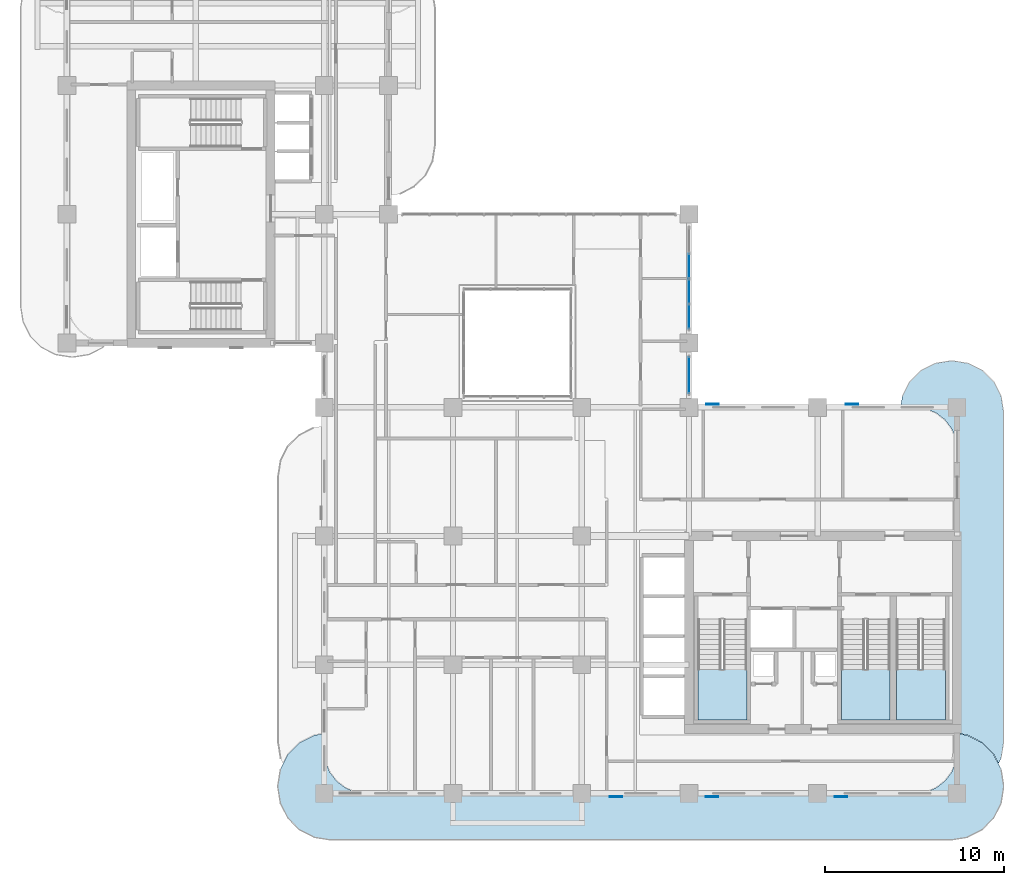
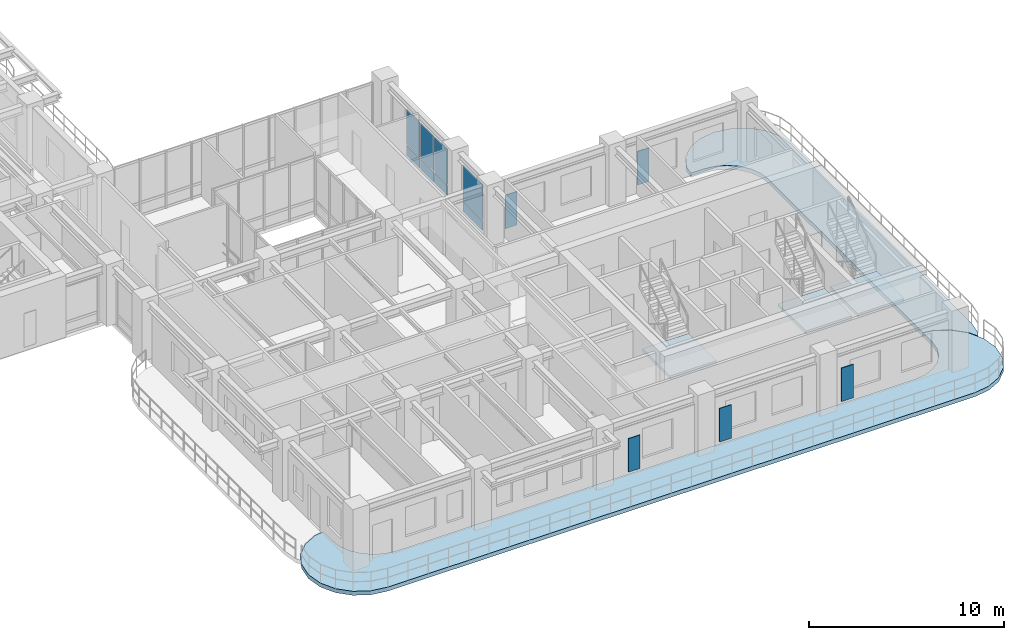
# One storey, part 9 of 20: 13 plates, 5 slabs, 5 elements without a shape of their own.
"""IFC4 building model written with IfcOpenShell, lengths in metres."""

from ifc_helpers import new_model, si_unit, derived_unit, direction, frame, origin, origin_2d, place, context, subcontext, project, spatial, polyline, rectangle, outline, extrude, source, transform, mapped, material, layer, layer_set, type_object, type_shapes, element, aggregate, save


model = new_model("IFC4")

# Units and contexts
model_context = context("Model", 3, precision=1e-05, world=origin(), true_north=direction((0.0, 1.0)))
body_context = subcontext(model_context, "Body", "Model", "MODEL_VIEW")
ifc_project = project(units=[si_unit("LENGTHUNIT", "METRE"), si_unit("AREAUNIT", "SQUARE_METRE"), si_unit("VOLUMEUNIT", "CUBIC_METRE"), si_unit("PLANEANGLEUNIT", "RADIAN"), si_unit("MASSUNIT", "GRAM", prefix="KILO"), si_unit("THERMODYNAMICTEMPERATUREUNIT", "KELVIN"), si_unit("POWERUNIT", "WATT"), derived_unit("THERMALTRANSMITTANCEUNIT", [(si_unit("POWERUNIT", "WATT"), 1), (si_unit("AREAUNIT", "SQUARE_METRE"), -1), (si_unit("THERMODYNAMICTEMPERATUREUNIT", "KELVIN"), -1)])], contexts=[model_context])

# Site, building, storey
site_placement = place(None, origin())
site = spatial("IfcSite", under=ifc_project, at=site_placement, CompositionType="ELEMENT")
building_placement = place(site_placement, origin())
building = spatial("IfcBuilding", under=site, at=building_placement, Name="Zahravan Archway Hotel and Residences", CompositionType="ELEMENT")
storey_placement = place(building_placement, frame((0.0, 0.0, 177.25)))
storey = spatial("IfcBuildingStorey", under=building, at=storey_placement, Name="L44", CompositionType="ELEMENT", Elevation=177.25)

# Slabs
ifc_material_1 = material(Name="Concrete C45/55", Category="concrete")
ifc_layer_1 = layer(ifc_material_1, 0.25, Name="Concrete C45/55", Category="concrete")
ifc_layer_set_1 = layer_set([ifc_layer_1], Name="Concrete C45/55")
slab_type_1 = type_object("IfcSlabType", Name="SLB-BALC-250", PredefinedType="FLOOR", material=ifc_layer_set_1)
slab_1_placement = place(storey_placement, frame((0.0, 0.0, -0.25)))
element("IfcSlab", 1, at=slab_1_placement, inside=storey, type_object=slab_type_1, Name="L44 Wing A South Rounded Balcony Band", PredefinedType="FLOOR", context=body_context, shape_type="SweptSolid", body=[
    extrude(outline(polyline([(50.361572265625, 3.255615234375), (51.18408203125, 2.836669921875), (51.836669921875, 2.18408203125), (52.255615234375, 1.361572265625), (52.39990234375, 0.449951171875), (52.39990234375, 0.35009765625), (52.255615234375, -0.5615234375), (51.836669921875, -1.384033203125), (51.18408203125, -2.03662109375), (50.361572265625, -2.45556640625), (49.449951171875, -2.60009765625), (14.75, -2.60009765625), (13.83837890625, -2.45556640625), (13.01611328125, -2.03662109375), (12.36328125, -1.384033203125), (11.9443359375, -0.5615234375), (11.800048828125, 0.35009765625), (11.800048828125, 0.449951171875), (11.9443359375, 1.361572265625), (12.36328125, 2.18408203125), (13.01611328125, 2.836669921875), (13.83837890625, 3.255615234375), (14.3798828125, 3.34130859375), (14.3798828125, 2.39990234375), (14.380126953125, 2.3974609375), (14.4619140625, 1.776123046875), (14.46240234375, 1.7744140625), (14.462646484375, 1.772705078125), (14.46337890625, 1.77099609375), (14.702880859375, 1.1923828125), (14.703857421875, 1.19091796875), (14.70458984375, 1.189208984375), (14.70556640625, 1.187744140625), (15.0869140625, 0.690673828125), (15.088134765625, 0.689453125), (15.08935546875, 0.688232421875), (15.0908203125, 0.68701171875), (15.587890625, 0.3056640625), (15.58935546875, 0.3046875), (15.5908203125, 0.3037109375), (15.59228515625, 0.302978515625), (16.171142578125, 0.063232421875), (16.1728515625, 0.062744140625), (16.174560546875, 0.062255859375), (16.17626953125, 0.06201171875), (16.79736328125, -0.019775390625), (16.800048828125, -0.02001953125), (47.39990234375, -0.02001953125), (47.402587890625, -0.019775390625), (48.023681640625, 0.06201171875), (48.025390625, 0.062255859375), (48.027099609375, 0.062744140625), (48.02880859375, 0.063232421875), (48.607666015625, 0.302978515625), (48.609130859375, 0.3037109375), (48.610595703125, 0.3046875), (48.6123046875, 0.3056640625), (49.109375, 0.68701171875), (49.110595703125, 0.688232421875), (49.11181640625, 0.689453125), (49.113037109375, 0.690673828125), (49.494384765625, 1.187744140625), (49.495361328125, 1.189208984375), (49.49609375, 1.19091796875), (49.4970703125, 1.1923828125), (49.73681640625, 1.77099609375), (49.7373046875, 1.772705078125), (49.73779296875, 1.7744140625), (49.738037109375, 1.776123046875), (49.81982421875, 2.3974609375), (49.820068359375, 2.39990234375), (49.820068359375, 3.34130859375), (50.361572265625, 3.255615234375)])), origin(), (0.0, 0.0, 1.0), 0.25),
])
slab_2_placement = place(storey_placement, frame((0.0, 0.0, -0.25)))
element("IfcSlab", 2, at=slab_2_placement, inside=storey, type_object=slab_type_1, Name="L44 Wing A East Rounded Balcony Band", PredefinedType="FLOOR", context=body_context, shape_type="SweptSolid", body=[
    extrude(outline(polyline([(46.739501953125, 22.230712890625), (47.144287109375, 23.025146484375), (47.77490234375, 23.65576171875), (48.5693359375, 24.060546875), (49.449951171875, 24.199951171875), (49.550048828125, 24.199951171875), (50.4306640625, 24.060546875), (51.22509765625, 23.65576171875), (51.855712890625, 23.025146484375), (52.260498046875, 22.230712890625), (52.39990234375, 21.35009765625), (52.39990234375, 2.85009765625), (52.260498046875, 1.96923828125), (52.114501953125, 1.6826171875), (51.8544921875, 2.193115234375), (51.853515625, 2.19482421875), (51.85205078125, 2.196533203125), (51.8505859375, 2.197998046875), (51.197998046875, 2.8505859375), (51.196533203125, 2.85205078125), (51.19482421875, 2.853515625), (51.193115234375, 2.8544921875), (50.37060546875, 3.2734375), (50.368896484375, 3.2744140625), (50.36669921875, 3.27490234375), (50.36474609375, 3.275390625), (49.822998046875, 3.361083984375), (49.8212890625, 3.361328125), (49.820068359375, 3.361328125), (49.820068359375, 19.199951171875), (49.81982421875, 19.20263671875), (49.738037109375, 19.82373046875), (49.73779296875, 19.825439453125), (49.7373046875, 19.8271484375), (49.73681640625, 19.828857421875), (49.4970703125, 20.40771484375), (49.49609375, 20.4091796875), (49.495361328125, 20.41064453125), (49.494384765625, 20.412109375), (49.113037109375, 20.9091796875), (49.11181640625, 20.91064453125), (49.110595703125, 20.911865234375), (49.109375, 20.9130859375), (48.6123046875, 21.29443359375), (48.610595703125, 21.29541015625), (48.609130859375, 21.296142578125), (48.607666015625, 21.297119140625), (48.02880859375, 21.53662109375), (48.027099609375, 21.537353515625), (48.025390625, 21.53759765625), (48.023681640625, 21.5380859375), (47.402587890625, 21.619873046875), (47.39990234375, 21.6201171875), (46.642822265625, 21.6201171875), (46.739501953125, 22.230712890625)])), origin(), (0.0, 0.0, 1.0), 0.25),
])

# Stair, slab
ifc_material_2 = material(Name="Concrete C50/60", Category="concrete")
stair_type = type_object("IfcStairType", Name="STR-CORE-1300", PredefinedType="HALF_TURN_STAIR", material=ifc_material_2)
stair_1_placement = place(storey_placement, origin())
stair_1 = element("IfcStair", 3, at=stair_1_placement, inside=storey, type_object=stair_type, Name="L44 Core A Exit Stair 1", PredefinedType="HALF_TURN_STAIR")
ifc_layer_2 = layer(ifc_material_2, 0.199951171875, Name="Concrete C50/60", Category="concrete")
ifc_layer_set_2 = layer_set([ifc_layer_2], Name="Concrete C50/60")
slab_type_2 = type_object("IfcSlabType", Name="SLB-LND-200", PredefinedType="LANDING", material=ifc_layer_set_2)
slab_3_placement = place(storey_placement, frame((0.0, 0.0, 1.72509765625)))
slab_3 = element("IfcSlab", 4, at=slab_3_placement, type_object=slab_type_2, Name="ST-A1 landing 1", PredefinedType="LANDING", context=body_context, shape_type="SweptSolid", body=[
    extrude(outline(polyline([(35.300048828125, 6.929931640625), (35.300048828125, 4.10009765625), (38.0400390625, 4.10009765625), (38.0400390625, 6.929931640625), (35.300048828125, 6.929931640625)])), origin(), (0.0, 0.0, 1.0), 0.199951171875),
])
aggregate(stair_1, [slab_3])

stair_2_placement = place(storey_placement, origin())
stair_2 = element("IfcStair", 5, at=stair_2_placement, inside=storey, type_object=stair_type, Name="L44 Core A Exit Stair 2", PredefinedType="HALF_TURN_STAIR")
slab_4_placement = place(storey_placement, frame((0.0, 0.0, 1.72509765625)))
slab_4 = element("IfcSlab", 6, at=slab_4_placement, type_object=slab_type_2, Name="ST-A2 landing 1", PredefinedType="LANDING", context=body_context, shape_type="SweptSolid", body=[
    extrude(outline(polyline([(43.320068359375, 6.929931640625), (43.320068359375, 4.10009765625), (46.06005859375, 4.10009765625), (46.06005859375, 6.929931640625), (43.320068359375, 6.929931640625)])), origin(), (0.0, 0.0, 1.0), 0.199951171875),
])
aggregate(stair_2, [slab_4])

stair_3_placement = place(storey_placement, origin())
stair_3 = element("IfcStair", 7, at=stair_3_placement, inside=storey, type_object=stair_type, Name="L44 Core A Exit Stair 3", PredefinedType="HALF_TURN_STAIR")
slab_5_placement = place(storey_placement, frame((0.0, 0.0, 1.72509765625)))
slab_5 = element("IfcSlab", 8, at=slab_5_placement, type_object=slab_type_2, Name="ST-A3 landing 1", PredefinedType="LANDING", context=body_context, shape_type="SweptSolid", body=[
    extrude(outline(polyline([(46.39990234375, 6.929931640625), (46.39990234375, 4.10009765625), (49.139892578125, 4.10009765625), (49.139892578125, 6.929931640625), (46.39990234375, 6.929931640625)])), origin(), (0.0, 0.0, 1.0), 0.199951171875),
])
aggregate(stair_3, [slab_5])

# Plates
ifc_material_3 = material(Name="Perforated Cast Bronze Jali Lattice")
ifc_layer_3 = layer(ifc_material_3, 0.044921875, Name="Perforated Cast Bronze Jali Lattice")
ifc_layer_set_3 = layer_set([ifc_layer_3], Name="Perforated Cast Bronze Jali Lattice")
plate_type_1 = type_object("IfcPlateType", Name="PLT-JALI-BAY", PredefinedType="USERDEFINED", material=ifc_layer_set_3)
shared_shape_1 = source(origin(), body_context, "Body", "SweptSolid", [
    extrude(rectangle(XDim=0.699951171875, YDim=0.044921875, at=origin_2d()), origin(), (0.0, 0.0, 1.0), 2.10009765625),
])
type_shapes(plate_type_1, [shared_shape_1])
for number, where, z_axis, x_axis, name in (
    (9, (30.7080078125, -0.177978515625, 0.25), (0.0, 0.0, 1.0), (1.0, 0.0, 0.0), "L44 Perforated Bronze Jali Pier Screen 01"),
    (10, (36.10009765625, -0.177978515625, 0.25), (0.0, 0.0, 1.0), (1.0, 0.0, 0.0), "L44 Perforated Bronze Jali Pier Screen 02"),
    (11, (43.300048828125, -0.177978515625, 0.25), (0.0, 0.0, 1.0), (1.0, 0.0, 0.0), "L44 Perforated Bronze Jali Pier Screen 03"),
    (12, (36.10791015625, 21.778076171875, 0.25), (0.0, 0.0, 1.0), (1.0, 0.0, 0.0), "L44 Perforated Bronze Jali Pier Screen 04"),
    (13, (43.907958984375, 21.778076171875, 0.25), (0.0, 0.0, 1.0), (1.0, 0.0, 0.0), "L44 Perforated Bronze Jali Pier Screen 05"),
):
    element("IfcPlate", number, at=place(storey_placement, frame(where, z_axis=z_axis, x_axis=x_axis)), inside=storey, type_object=plate_type_1, Name=name, ObjectType="SCREEN", PredefinedType="USERDEFINED", context=body_context, shape_type="MappedRepresentation", body=[
        mapped(shared_shape_1, transform((0.0, 0.0, 0.0), scale=1.0)),
    ])

# Curtain wall, plates
ifc_material_4 = material(Name="Bronze-Anodized Unitised Aluminium & Low-E Glass", Category="aluminium")
ifc_layer_4 = layer(ifc_material_4, 0.179931640625, Name="Bronze-Anodized Unitised Aluminium & Low-E Glass", Category="aluminium")
ifc_layer_set_4 = layer_set([ifc_layer_4], Name="Bronze-Anodized Unitised Aluminium & Low-E Glass")
curtain_wall_type = type_object("IfcCurtainWallType", Name="CW-ATR-GLAZ", PredefinedType="NOTDEFINED", material=ifc_layer_set_4)
curtain_wall_1_placement = place(storey_placement, origin())
curtain_wall_1 = element("IfcCurtainWall", 14, at=curtain_wall_1_placement, inside=storey, type_object=curtain_wall_type, Name="L44 Curtain Wall CW-L44-HNG-E-1", PredefinedType="NOTDEFINED")
ifc_material_5 = material(Name="Insulated Terracotta Spandrel Panel", Category="masonry")
ifc_layer_5 = layer(ifc_material_5, 0.0400390625, Name="Insulated Terracotta Spandrel Panel", Category="masonry")
ifc_layer_set_5 = layer_set([ifc_layer_5], Name="Insulated Terracotta Spandrel Panel")
plate_type_2 = type_object("IfcPlateType", Name="CWP-SPN-40", PredefinedType="SHEET", material=ifc_layer_set_5)
shared_shape_2 = source(origin(), body_context, "Body", "SweptSolid", [
    extrude(rectangle(XDim=2.0, YDim=0.0400390625, at=origin_2d()), origin(), (0.0, 0.0, 1.0), 0.600341796875),
])
plate_1_placement = place(storey_placement, frame((34.800048828125, 23.39990234375, 0.10009765625), z_axis=(0.0, 0.0, 1.0), x_axis=(0.0, 1.0, 0.0)))
plate_1 = element("IfcPlate", 15, at=plate_1_placement, type_object=plate_type_2, Name="CW-L44-HNG-E-1 Spandrel Panel 0", PredefinedType="SHEET", context=body_context, shape_type="MappedRepresentation", body=[
    mapped(shared_shape_2, transform((0.0, 0.0, 0.0), scale=1.0)),
])
ifc_material_6 = material(Name="Double-Silver Low-E Insulated Vision Glass", Category="glass")
ifc_layer_6 = layer(ifc_material_6, 0.028076171875, Name="Double-Silver Low-E Insulated Vision Glass", Category="glass")
ifc_layer_set_6 = layer_set([ifc_layer_6], Name="Double-Silver Low-E Insulated Vision Glass")
plate_type_3 = type_object("IfcPlateType", Name="CWP-GLZ-28", PredefinedType="CURTAIN_PANEL", material=ifc_layer_set_6)
shared_shape_3 = source(origin(), body_context, "Body", "SweptSolid", [
    extrude(rectangle(XDim=2.0, YDim=0.028076171875, at=origin_2d()), origin(), (0.0, 0.0, 1.0), 2.20458984375),
])
plate_2_placement = place(storey_placement, frame((34.800048828125, 23.39990234375, 0.780517578125), z_axis=(0.0, 0.0, 1.0), x_axis=(0.0, 1.0, 0.0)))
plate_2 = element("IfcPlate", 16, at=plate_2_placement, type_object=plate_type_3, Name="CW-L44-HNG-E-1 Low-E Vision Panel 0", PredefinedType="CURTAIN_PANEL", context=body_context, shape_type="MappedRepresentation", body=[
    mapped(shared_shape_3, transform((0.0, 0.0, 0.0), scale=1.0)),
])
aggregate(curtain_wall_1, [plate_1, plate_2])

curtain_wall_2_placement = place(storey_placement, origin())
curtain_wall_2 = element("IfcCurtainWall", 17, at=curtain_wall_2_placement, inside=storey, type_object=curtain_wall_type, Name="L44 Curtain Wall CW-L44-HNG-E-2", PredefinedType="NOTDEFINED")
shared_shape_4 = source(origin(), body_context, "Body", "SweptSolid", [
    extrude(rectangle(XDim=1.340087890625, YDim=0.0400390625, at=origin_2d()), origin(), (0.0, 0.0, 1.0), 0.600341796875),
])
plate_3_placement = place(storey_placement, frame((34.800048828125, 26.669921875, 0.10009765625), z_axis=(0.0, 0.0, 1.0), x_axis=(0.0, 1.0, 0.0)))
plate_3 = element("IfcPlate", 18, at=plate_3_placement, type_object=plate_type_2, Name="CW-L44-HNG-E-2 Spandrel Panel 0", PredefinedType="SHEET", context=body_context, shape_type="MappedRepresentation", body=[
    mapped(shared_shape_4, transform((0.0, 0.0, 0.0), scale=1.0)),
])
plate_4_placement = place(storey_placement, frame((34.800048828125, 28.090087890625, 0.10009765625), z_axis=(0.0, 0.0, 1.0), x_axis=(0.0, 1.0, 0.0)))
plate_4 = element("IfcPlate", 19, at=plate_4_placement, type_object=plate_type_2, Name="CW-L44-HNG-E-2 Spandrel Panel 1", PredefinedType="SHEET", context=body_context, shape_type="MappedRepresentation", body=[
    mapped(shared_shape_4, transform((0.0, 0.0, 0.0), scale=1.0)),
])
plate_5_placement = place(storey_placement, frame((34.800048828125, 29.510009765625, 0.10009765625), z_axis=(0.0, 0.0, 1.0), x_axis=(0.0, 1.0, 0.0)))
plate_5 = element("IfcPlate", 20, at=plate_5_placement, type_object=plate_type_2, Name="CW-L44-HNG-E-2 Spandrel Panel 2", PredefinedType="SHEET", context=body_context, shape_type="MappedRepresentation", body=[
    mapped(shared_shape_4, transform((0.0, 0.0, 0.0), scale=1.0)),
])
shared_shape_5 = source(origin(), body_context, "Body", "SweptSolid", [
    extrude(rectangle(XDim=1.340087890625, YDim=0.028076171875, at=origin_2d()), origin(), (0.0, 0.0, 1.0), 2.20458984375),
])
plate_6_placement = place(storey_placement, frame((34.800048828125, 26.669921875, 0.780517578125), z_axis=(0.0, 0.0, 1.0), x_axis=(0.0, 1.0, 0.0)))
plate_6 = element("IfcPlate", 21, at=plate_6_placement, type_object=plate_type_3, Name="CW-L44-HNG-E-2 Low-E Vision Panel 0", PredefinedType="CURTAIN_PANEL", context=body_context, shape_type="MappedRepresentation", body=[
    mapped(shared_shape_5, transform((0.0, 0.0, 0.0), scale=1.0)),
])
plate_7_placement = place(storey_placement, frame((34.800048828125, 28.090087890625, 0.780517578125), z_axis=(0.0, 0.0, 1.0), x_axis=(0.0, 1.0, 0.0)))
plate_7 = element("IfcPlate", 22, at=plate_7_placement, type_object=plate_type_3, Name="CW-L44-HNG-E-2 Low-E Vision Panel 1", PredefinedType="CURTAIN_PANEL", context=body_context, shape_type="MappedRepresentation", body=[
    mapped(shared_shape_5, transform((0.0, 0.0, 0.0), scale=1.0)),
])
plate_8_placement = place(storey_placement, frame((34.800048828125, 29.510009765625, 0.780517578125), z_axis=(0.0, 0.0, 1.0), x_axis=(0.0, 1.0, 0.0)))
plate_8 = element("IfcPlate", 23, at=plate_8_placement, type_object=plate_type_3, Name="CW-L44-HNG-E-2 Low-E Vision Panel 2", PredefinedType="CURTAIN_PANEL", context=body_context, shape_type="MappedRepresentation", body=[
    mapped(shared_shape_5, transform((0.0, 0.0, 0.0), scale=1.0)),
])
aggregate(curtain_wall_2, [plate_3, plate_6, plate_4, plate_7, plate_5, plate_8])

save(model, "model.ifc")
